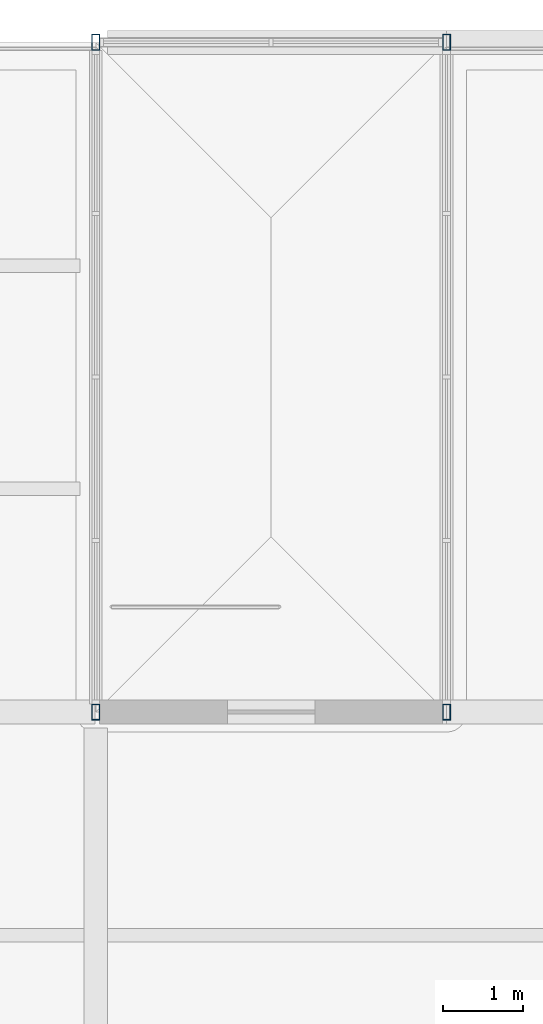
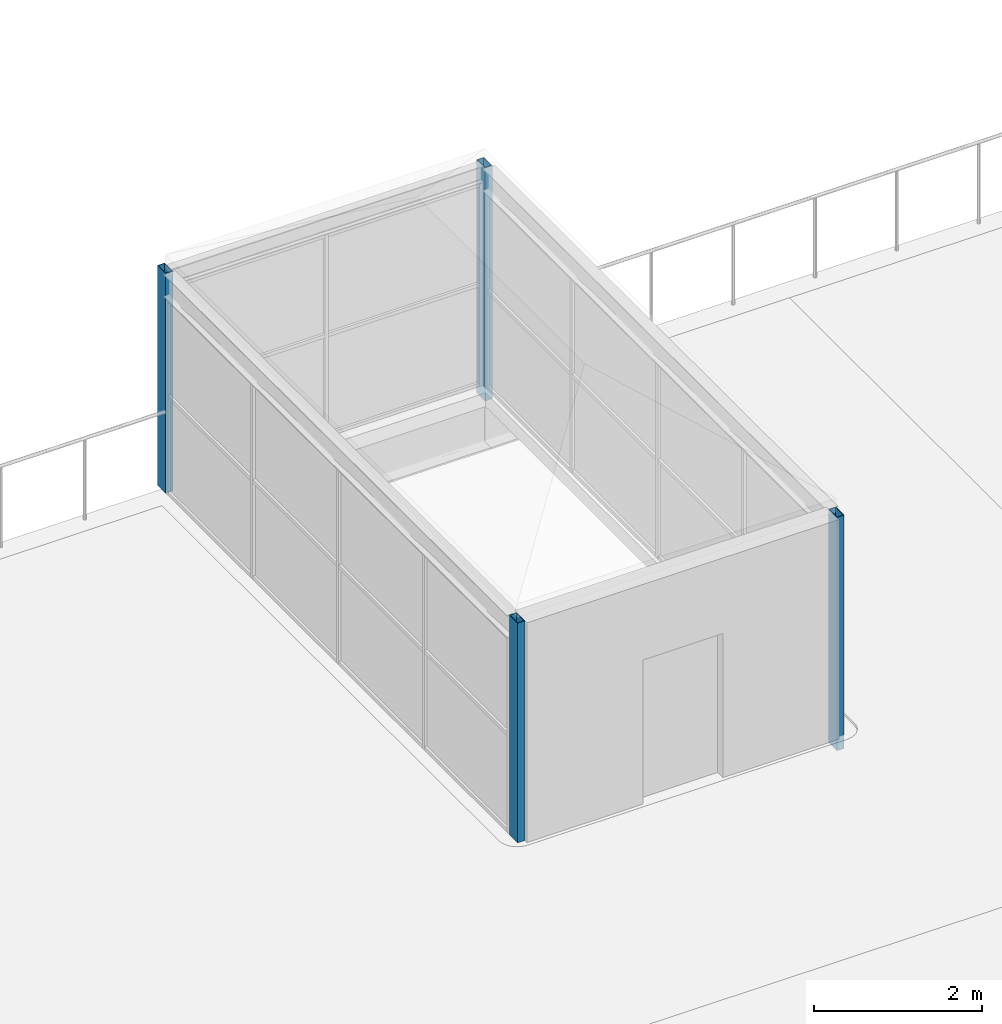
# One storey, part 5 of 58: 4 columns.
"""IFC4 building model written with IfcOpenShell, lengths in metres."""

from ifc_helpers import new_model, si_unit, direction, frame, origin, origin_2d, place, context, subcontext, project, spatial, hollow_rectangle, extrude, material, material_profile, profile_set, type_object, element, save


model = new_model("IFC4")

# Units and contexts
model_context = context("Model", 3, precision=1e-05, world=origin(), true_north=direction((0.0, 1.0)))
body_context = subcontext(model_context, "Body", "Model", "MODEL_VIEW")
ifc_project = project(units=[si_unit("LENGTHUNIT", "METRE"), si_unit("AREAUNIT", "SQUARE_METRE"), si_unit("VOLUMEUNIT", "CUBIC_METRE"), si_unit("PLANEANGLEUNIT", "RADIAN"), si_unit("MASSUNIT", "GRAM", prefix="KILO")], contexts=[model_context])

# Site, building, storey
site_placement = place(None, origin())
site = spatial("IfcSite", under=ifc_project, at=site_placement, CompositionType="ELEMENT")
building_placement = place(site_placement, origin())
building = spatial("IfcBuilding", under=site, at=building_placement, Name="Galleria Vessillo Department Store", CompositionType="ELEMENT")
storey_placement = place(building_placement, frame((0.0, 0.0, 31.199951171875)))
storey = spatial("IfcBuildingStorey", under=building, at=storey_placement, Name="L06", CompositionType="ELEMENT", Elevation=31.199951171875)

# Columns
ifc_material = material(Name="Steel S355 J2", Category="steel")
ifc_material_profile = material_profile(ifc_material, hollow_rectangle(XDim=0.10009765625, YDim=0.199951171875, WallThickness=0.008056640625, at=origin_2d()), Name="RHS 200x100x8")
ifc_profile_set = profile_set([ifc_material_profile], Name="Steel S355 J2")
column_type = type_object("IfcColumnType", Name="Steel post RHS 200x100x8", PredefinedType="COLUMN", material=ifc_profile_set)
column_1_placement = place(storey_placement, frame((58.800048828125, 63.0, 0.0), z_axis=(0.0, 0.0, 1.0), x_axis=(1.0, 0.0, 0.0)))
element("IfcColumn", 1, at=column_1_placement, inside=storey, type_object=column_type, Name="S-PP-ST11-1", PredefinedType="COLUMN", context=body_context, shape_type="SweptSolid", body=[
    extrude(hollow_rectangle(XDim=0.10009765625, YDim=0.199951171875, WallThickness=0.008056640625, at=origin_2d()), origin(), (0.0, 0.0, 1.0), 3.2001953125),
])
column_2_placement = place(storey_placement, frame((63.199951171875, 63.0, -0.199951171875), z_axis=(0.0, 0.0, 1.0), x_axis=(1.0, 0.0, 0.0)))
element("IfcColumn", 2, at=column_2_placement, inside=storey, type_object=column_type, Name="S-PP-ST11-2", PredefinedType="COLUMN", context=body_context, shape_type="SweptSolid", body=[
    extrude(hollow_rectangle(XDim=0.10009765625, YDim=0.199951171875, WallThickness=0.008056640625, at=origin_2d()), origin(), (0.0, 0.0, 1.0), 3.400146484375),
])
column_3_placement = place(storey_placement, frame((58.800048828125, 54.60009765625, 0.0), z_axis=(0.0, 0.0, 1.0), x_axis=(1.0, 0.0, 0.0)))
element("IfcColumn", 3, at=column_3_placement, inside=storey, type_object=column_type, Name="S-PP-ST11-3", PredefinedType="COLUMN", context=body_context, shape_type="SweptSolid", body=[
    extrude(hollow_rectangle(XDim=0.10009765625, YDim=0.199951171875, WallThickness=0.008056640625, at=origin_2d()), origin(), (0.0, 0.0, 1.0), 3.2001953125),
])
column_4_placement = place(storey_placement, frame((63.199951171875, 54.60009765625, -0.199951171875), z_axis=(0.0, 0.0, 1.0), x_axis=(1.0, 0.0, 0.0)))
element("IfcColumn", 4, at=column_4_placement, inside=storey, type_object=column_type, Name="S-PP-ST11-4", PredefinedType="COLUMN", context=body_context, shape_type="SweptSolid", body=[
    extrude(hollow_rectangle(XDim=0.10009765625, YDim=0.199951171875, WallThickness=0.008056640625, at=origin_2d()), origin(), (0.0, 0.0, 1.0), 3.400146484375),
])

save(model, "model.ifc")
